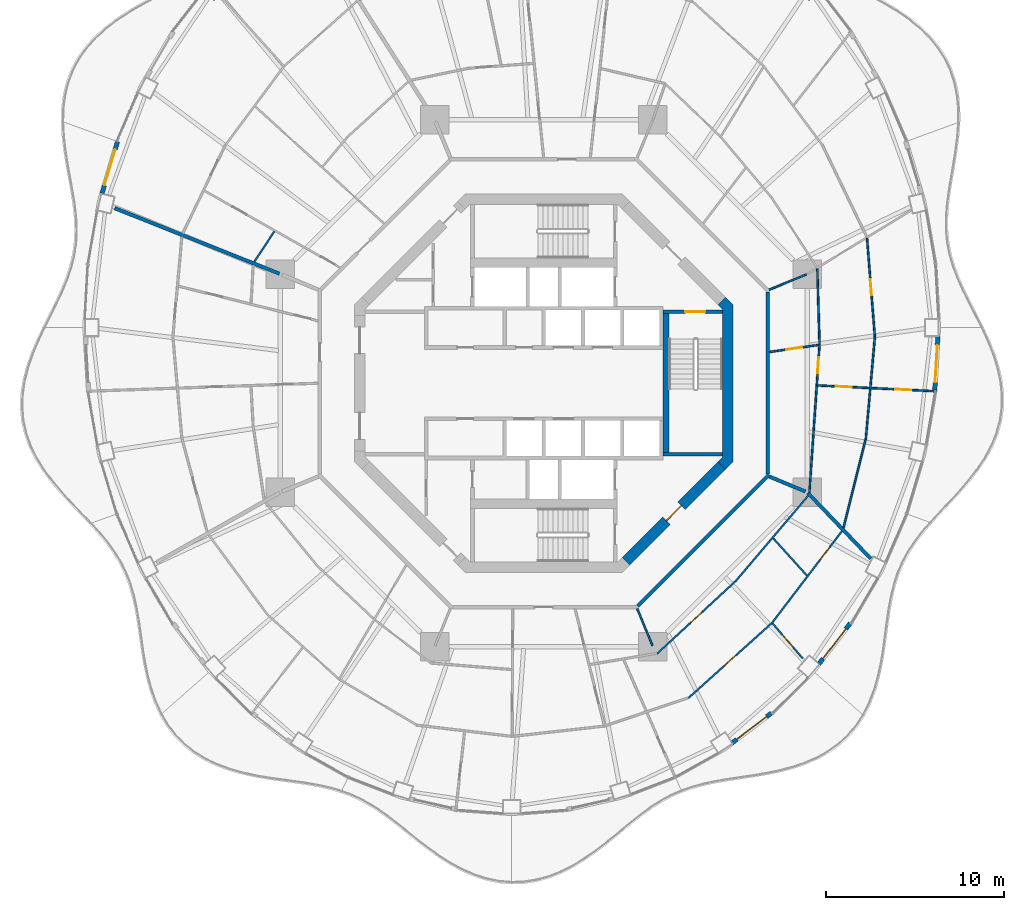
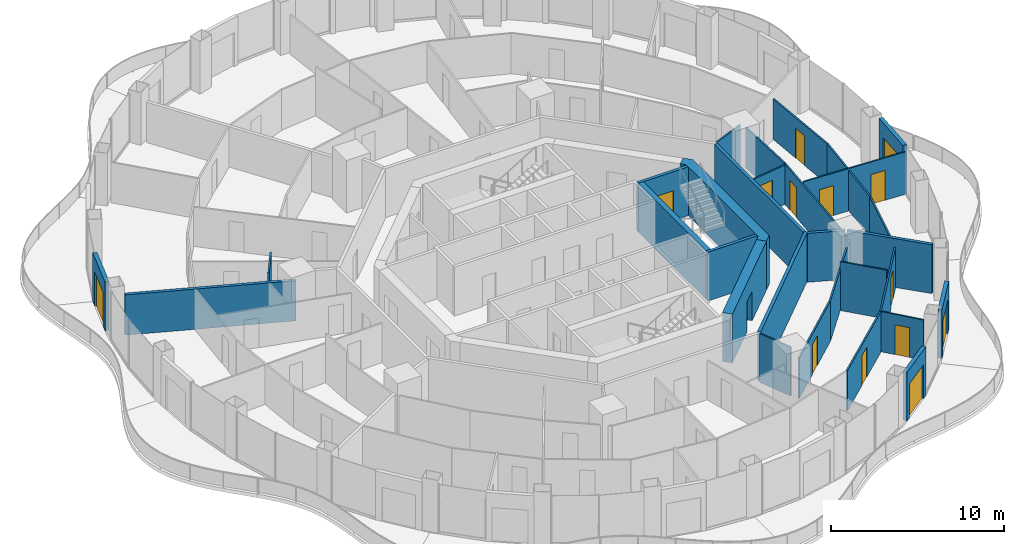
# One storey, part 12 of 18: 30 walls, 15 doors, 15 openings.
"""IFC4 building model written with IfcOpenShell, lengths in metres."""

from ifc_helpers import new_model, si_unit, direction, frame, frame_2d, origin, place, context, subcontext, project, spatial, polyline, rectangle, outline, extrude, material, layer, layer_set, type_object, element, fill, save


model = new_model("IFC4")

# Units and contexts
model_context = context("Model", 3, precision=1e-05, world=origin(), true_north=direction((0.0, 1.0)))
body_context = subcontext(model_context, "Body", "Model", "MODEL_VIEW")
ifc_project = project(units=[si_unit("LENGTHUNIT", "METRE"), si_unit("AREAUNIT", "SQUARE_METRE"), si_unit("VOLUMEUNIT", "CUBIC_METRE"), si_unit("PLANEANGLEUNIT", "RADIAN"), si_unit("MASSUNIT", "GRAM", prefix="KILO")], contexts=[model_context])

# Site, building, storey
site_placement = place(None, origin())
site = spatial("IfcSite", under=ifc_project, at=site_placement, CompositionType="ELEMENT")
building_placement = place(site_placement, origin())
building = spatial("IfcBuilding", under=site, at=building_placement, Name="Nagisa Residences", CompositionType="ELEMENT")
storey_placement = place(building_placement, frame((0.0, 0.0, 223.300048828125)))
storey = spatial("IfcBuildingStorey", under=building, at=storey_placement, Name="L56", CompositionType="ELEMENT", Elevation=223.300048828125)

# Walls
ifc_material_1 = material(Name="Gypsum board on steel studs", Category="steel")
ifc_layer_1 = layer(ifc_material_1, 0.199951171875)
ifc_layer_set_1 = layer_set([ifc_layer_1], Name="Apartment compartment wall EI60 200")
wall_type_1 = type_object("IfcWallType", Name="Apartment compartment wall EI60 200", PredefinedType="PARTITIONING", material=ifc_layer_set_1)
wall_1_placement = place(storey_placement, frame((-14.82861328125, 6.141357421875, 0.0), z_axis=(0.0, 0.0, 1.0), x_axis=(-0.929202069098, 0.36957206981, 0.0)))
element("IfcWall", 1, at=wall_1_placement, inside=storey, type_object=wall_type_1, Name="wall:L56:u03", PredefinedType="PARTITIONING", context=body_context, shape_type="SweptSolid", body=[
    extrude(rectangle(XDim=9.95654296875, YDim=0.199951171875, at=frame_2d((4.978271484375, 0.0))), origin(), (0.0, 0.0, 1.0), 2.8369140625),
])
wall_2_placement = place(storey_placement, frame((12.6572265625, -5.24267578125, 0.0), z_axis=(0.0, 0.0, 1.0), x_axis=(0.923853160736, -0.382747093259, 0.0)))
element("IfcWall", 2, at=wall_2_placement, inside=storey, type_object=wall_type_1, Name="wall:L56:u06", PredefinedType="PARTITIONING", context=body_context, shape_type="SweptSolid", body=[
    extrude(rectangle(XDim=2.199951171875, YDim=0.199951171875, at=frame_2d((1.10009765625, 0.0))), origin(), (0.0, 0.0, 1.0), 3.43994140625),
])
wall_3_placement = place(storey_placement, frame((14.816650390625, -6.1591796875, 0.0), z_axis=(0.0, 0.0, 1.0), x_axis=(0.691437669875, -0.722436120828, 0.0)))
element("IfcWall", 3, at=wall_3_placement, inside=storey, type_object=wall_type_1, Name="wall:L56:u07", PredefinedType="PARTITIONING", context=body_context, shape_type="SweptSolid", body=[
    extrude(rectangle(XDim=5.103515625, YDim=0.199951171875, at=frame_2d((2.5517578125, 0.0))), origin(), (0.0, 0.0, 1.0), 3.43994140625),
])
ifc_material_2 = material(Name="Gypsum board on steel studs", Category="steel")
ifc_layer_2 = layer(ifc_material_2, 0.199951171875)
ifc_layer_set_2 = layer_set([ifc_layer_2], Name="Apartment entry wall EI60 200")
wall_type_2 = type_object("IfcWallType", Name="Apartment entry wall EI60 200", PredefinedType="PARTITIONING", material=ifc_layer_set_2)
wall_4_placement = place(storey_placement, frame((12.564697265625, -5.1044921875, 0.0), z_axis=(0.0, 0.0, 1.0), x_axis=(0.0, 1.0, 0.0)))
element("IfcWall", 4, at=wall_4_placement, inside=storey, type_object=wall_type_2, Name="wall:L56:u08", PredefinedType="PARTITIONING", context=body_context, shape_type="SweptSolid", body=[
    extrude(rectangle(XDim=10.208984375, YDim=0.199951171875, at=frame_2d((5.1044921875, 0.0))), origin(), (0.0, 0.0, 1.0), 3.43994140625),
])
wall_5_placement = place(storey_placement, frame((5.275146484375, -12.494140625, 0.0), z_axis=(0.0, 0.0, 1.0), x_axis=(0.707106781187, 0.707106781187, 0.0)))
element("IfcWall", 5, at=wall_5_placement, inside=storey, type_object=wall_type_2, Name="wall:L56:u15", PredefinedType="PARTITIONING", context=body_context, shape_type="SweptSolid", body=[
    extrude(rectangle(XDim=10.4091796875, YDim=0.199951171875, at=frame_2d((5.20458984375, 0.0))), origin(), (0.0, 0.0, 1.0), 3.43994140625),
])

# Wall, opening, door
ifc_material_3 = material(Name="Gypsum board on steel studs", Category="steel")
ifc_layer_3 = layer(ifc_material_3, 0.10009765625)
ifc_layer_set_3 = layer_set([ifc_layer_3], Name="Apartment partition 100")
wall_type_3 = type_object("IfcWallType", Name="Apartment partition 100", PredefinedType="PARTITIONING", material=ifc_layer_set_3)
wall_6_placement = place(storey_placement, frame((12.663818359375, 1.7490234375, 0.0), z_axis=(0.0, 0.0, 1.0), x_axis=(0.990007147727, 0.14101718849, 0.0)))
wall_6 = element("IfcWall", 6, at=wall_6_placement, inside=storey, type_object=wall_type_3, Name="wall:L56:u16", PredefinedType="PARTITIONING", context=body_context, shape_type="SweptSolid", body=[
    extrude(rectangle(XDim=2.790771484375, YDim=0.10009765625, at=frame_2d((1.3955078125, 0.0))), origin(), (0.0, 0.0, 1.0), 2.761962890625),
])
opening_1_placement = place(wall_6_placement, frame((0.945556640625, 0.0, 0.0)))
opening_1 = element("IfcOpeningElement", 7, at=opening_1_placement, cuts=wall_6, Name="Opening L56-U47", PredefinedType="OPENING", context=body_context, shape_type="SweptSolid", body=[
    extrude(rectangle(XDim=0.89990234375, YDim=2.10009765625, at=frame_2d((0.449951171875, 1.050048828125))), frame((0.0, 0.06005859375, 0.0), z_axis=(0.0, -1.0, 0.0), x_axis=(1.0, 0.0, 0.0)), (0.0, 0.0, 1.0), 0.1201171875),
])
ifc_material_4 = material(Name="Timber door set", Category="wood")
door_type_1 = type_object("IfcDoorType", Name="Apartment door 900x2100", OperationType="NOTDEFINED", PredefinedType="DOOR", material=ifc_material_4)
door_1_placement = place(opening_1_placement, origin())
door_1 = element("IfcDoor", 8, at=door_1_placement, inside=storey, type_object=door_type_1, Name="Door to store, Apartment 56D", OperationType="SINGLE_SWING_LEFT", OverallHeight=2.10009765625, OverallWidth=0.89990234375, PredefinedType="DOOR", context=body_context, shape_type="SweptSolid", body=[
    extrude(rectangle(XDim=0.89990234375, YDim=2.10009765625, at=frame_2d((0.449951171875, 1.050048828125))), frame((0.0, 0.02490234375, 0.0), z_axis=(0.0, -1.0, 0.0), x_axis=(1.0, 0.0, 0.0)), (0.0, 0.0, 1.0), 0.050048828125),
])
fill(opening_1, door_1)

# Wall
wall_7_placement = place(storey_placement, frame((15.474853515625, 2.19970703125, 0.0), z_axis=(0.0, 0.0, 1.0), x_axis=(-0.029254637498, 0.999571991497, 0.0)))
element("IfcWall", 9, at=wall_7_placement, inside=storey, type_object=wall_type_3, Name="wall:L56:u17", PredefinedType="PARTITIONING", context=body_context, shape_type="SweptSolid", body=[
    extrude(rectangle(XDim=4.22265625, YDim=0.10009765625, at=frame_2d((2.111328125, 0.0))), origin(), (0.0, 0.0, 1.0), 2.8369140625),
])

# Wall, opening, door
wall_8_placement = place(storey_placement, frame((15.479736328125, 2.199462890625, 0.0), z_axis=(0.0, 0.0, 1.0), x_axis=(-0.068558685949, -0.997647085186, 0.0)))
wall_8 = element("IfcWall", 10, at=wall_8_placement, inside=storey, type_object=wall_type_3, Name="wall:L56:u18", PredefinedType="PARTITIONING", context=body_context, shape_type="SweptSolid", body=[
    extrude(rectangle(XDim=8.364990234375, YDim=0.10009765625, at=frame_2d((4.1826171875, 0.0))), origin(), (0.0, 0.0, 1.0), 2.8369140625),
])
opening_2_placement = place(wall_8_placement, frame((0.740478515625, 0.0, 0.0)))
opening_2 = element("IfcOpeningElement", 11, at=opening_2_placement, cuts=wall_8, Name="Opening L56-U46", PredefinedType="OPENING", context=body_context, shape_type="SweptSolid", body=[
    extrude(rectangle(XDim=0.89990234375, YDim=2.10009765625, at=frame_2d((0.449951171875, 1.050048828125))), frame((0.0, 0.06005859375, 0.0), z_axis=(0.0, -1.0, 0.0), x_axis=(1.0, 0.0, 0.0)), (0.0, 0.0, 1.0), 0.1201171875),
])
door_2_placement = place(opening_2_placement, frame((0.89990234375, 0.0, 0.0), x_axis=(-1.0, 0.0, 0.0)))
door_2 = element("IfcDoor", 12, at=door_2_placement, inside=storey, type_object=door_type_1, Name="Door to laundry, Apartment 56D", OperationType="SINGLE_SWING_LEFT", OverallHeight=2.10009765625, OverallWidth=0.89990234375, PredefinedType="DOOR", context=body_context, shape_type="SweptSolid", body=[
    extrude(rectangle(XDim=0.89990234375, YDim=2.10009765625, at=frame_2d((0.449951171875, 1.050048828125))), frame((0.0, 0.02490234375, 0.0), z_axis=(0.0, -1.0, 0.0), x_axis=(1.0, 0.0, 0.0)), (0.0, 0.0, 1.0), 0.050048828125),
])
fill(opening_2, door_2)

wall_9_placement = place(storey_placement, frame((18.578125, 2.64208984375, 0.0), z_axis=(0.0, 0.0, 1.0), x_axis=(-0.079179272956, 0.9968603928, 0.0)))
wall_9 = element("IfcWall", 13, at=wall_9_placement, inside=storey, type_object=wall_type_3, Name="wall:L56:u19", PredefinedType="PARTITIONING", context=body_context, shape_type="SweptSolid", body=[
    extrude(rectangle(XDim=5.50390625, YDim=0.10009765625, at=frame_2d((2.751953125, 0.0))), origin(), (0.0, 0.0, 1.0), 2.8369140625),
])
opening_3_placement = place(wall_9_placement, frame((2.302001953125, 0.0, 0.0)))
opening_3 = element("IfcOpeningElement", 14, at=opening_3_placement, cuts=wall_9, Name="Opening L56-U45", PredefinedType="OPENING", context=body_context, shape_type="SweptSolid", body=[
    extrude(rectangle(XDim=0.89990234375, YDim=2.10009765625, at=frame_2d((0.449951171875, 1.050048828125))), frame((0.0, 0.06005859375, 0.0), z_axis=(0.0, -1.0, 0.0), x_axis=(1.0, 0.0, 0.0)), (0.0, 0.0, 1.0), 0.1201171875),
])
door_3_placement = place(opening_3_placement, frame((0.89990234375, 0.0, 0.0), x_axis=(-1.0, 0.0, 0.0)))
door_3 = element("IfcDoor", 15, at=door_3_placement, inside=storey, type_object=door_type_1, Name="Door to family room, Apartment 56D", OperationType="SINGLE_SWING_RIGHT", OverallHeight=2.10009765625, OverallWidth=0.89990234375, PredefinedType="DOOR", context=body_context, shape_type="SweptSolid", body=[
    extrude(rectangle(XDim=0.89990234375, YDim=2.10009765625, at=frame_2d((0.449951171875, 1.050048828125))), frame((0.0, 0.02490234375, 0.0), z_axis=(0.0, -1.0, 0.0), x_axis=(1.0, 0.0, 0.0)), (0.0, 0.0, 1.0), 0.050048828125),
])
fill(opening_3, door_3)

# Walls
wall_10_placement = place(storey_placement, frame((18.58642578125, 2.64208984375, 0.0), z_axis=(0.0, 0.0, 1.0), x_axis=(-0.088638473361, -0.996063863937, 0.0)))
element("IfcWall", 16, at=wall_10_placement, inside=storey, type_object=wall_type_3, Name="wall:L56:u20", PredefinedType="PARTITIONING", context=body_context, shape_type="SweptSolid", body=[
    extrude(rectangle(XDim=5.83642578125, YDim=0.10009765625, at=frame_2d((2.918212890625, 0.0))), origin(), (0.0, 0.0, 1.0), 2.8369140625),
])
wall_11_placement = place(storey_placement, frame((12.6572265625, 5.24267578125, 0.0), z_axis=(0.0, 0.0, 1.0), x_axis=(0.923864733477, 0.382719158442, 0.0)))
element("IfcWall", 17, at=wall_11_placement, inside=storey, type_object=wall_type_3, Name="wall:L56:u21", PredefinedType="PARTITIONING", context=body_context, shape_type="SweptSolid", body=[
    extrude(rectangle(XDim=2.25, YDim=0.10009765625, at=frame_2d((1.125, 0.0))), origin(), (0.0, 0.0, 1.0), 3.43994140625),
])
wall_12_placement = place(storey_placement, frame((-15.114013671875, 8.524169921875, 0.0), z_axis=(0.0, 0.0, 1.0), x_axis=(-0.551211457161, -0.834365585037, 0.0)))
element("IfcWall", 18, at=wall_12_placement, inside=storey, type_object=wall_type_3, Name="wall:L56:u53", PredefinedType="PARTITIONING", context=body_context, shape_type="SweptSolid", body=[
    extrude(rectangle(XDim=2.0537109375, YDim=0.10009765625, at=frame_2d((1.02685546875, 0.0))), origin(), (0.0, 0.0, 1.0), 3.43994140625),
])
wall_13_placement = place(storey_placement, frame((5.24267578125, -12.6572265625, 0.0), z_axis=(0.0, 0.0, 1.0), x_axis=(0.382719158442, -0.923864733477, 0.0)))
element("IfcWall", 19, at=wall_13_placement, inside=storey, type_object=wall_type_3, Name="wall:L56:u80", PredefinedType="PARTITIONING", context=body_context, shape_type="SweptSolid", body=[
    extrude(rectangle(XDim=2.25, YDim=0.10009765625, at=frame_2d((1.125, 0.0))), origin(), (0.0, 0.0, 1.0), 3.43994140625),
])

# Wall, opening, door
wall_14_placement = place(storey_placement, frame((6.3505859375, -15.18994140625, 0.0), z_axis=(0.0, 0.0, 1.0), x_axis=(0.73462674599, 0.678471476243, 0.0)))
wall_14 = element("IfcWall", 20, at=wall_14_placement, inside=storey, type_object=wall_type_3, Name="wall:L56:u81", PredefinedType="PARTITIONING", context=body_context, shape_type="SweptSolid", body=[
    extrude(rectangle(XDim=5.986572265625, YDim=0.10009765625, at=frame_2d((2.9931640625, 0.0))), origin(), (0.0, 0.0, 1.0), 2.8369140625),
])
opening_4_placement = place(wall_14_placement, frame((2.568359375, 0.0, 0.0)))
opening_4 = element("IfcOpeningElement", 21, at=opening_4_placement, cuts=wall_14, Name="Opening L56-U30", PredefinedType="OPENING", context=body_context, shape_type="SweptSolid", body=[
    extrude(rectangle(XDim=0.89990234375, YDim=2.10009765625, at=frame_2d((0.449951171875, 1.050048828125))), frame((0.0, 0.06005859375, 0.0), z_axis=(0.0, -1.0, 0.0), x_axis=(1.0, 0.0, 0.0)), (0.0, 0.0, 1.0), 0.1201171875),
])
door_4_placement = place(opening_4_placement, origin())
door_4 = element("IfcDoor", 22, at=door_4_placement, inside=storey, type_object=door_type_1, Name="Door to store, Apartment 56C", OperationType="SINGLE_SWING_RIGHT", OverallHeight=2.10009765625, OverallWidth=0.89990234375, PredefinedType="DOOR", context=body_context, shape_type="SweptSolid", body=[
    extrude(rectangle(XDim=0.89990234375, YDim=2.10009765625, at=frame_2d((0.449951171875, 1.050048828125))), frame((0.0, 0.02490234375, 0.0), z_axis=(0.0, -1.0, 0.0), x_axis=(1.0, 0.0, 0.0)), (0.0, 0.0, 1.0), 0.050048828125),
])
fill(opening_4, door_4)

wall_15_placement = place(storey_placement, frame((8.109130859375, -17.679443359375, 0.0), z_axis=(0.0, 0.0, 1.0), x_axis=(0.743675165651, 0.668541134108, 0.0)))
wall_15 = element("IfcWall", 23, at=wall_15_placement, inside=storey, type_object=wall_type_3, Name="wall:L56:u82", PredefinedType="PARTITIONING", context=body_context, shape_type="SweptSolid", body=[
    extrude(rectangle(XDim=6.274658203125, YDim=0.10009765625, at=frame_2d((3.13720703125, 0.0))), origin(), (0.0, 0.0, 1.0), 2.8369140625),
])
opening_5_placement = place(wall_15_placement, frame((2.71240234375, 0.0, 0.0)))
opening_5 = element("IfcOpeningElement", 24, at=opening_5_placement, cuts=wall_15, Name="Opening L56-U26", PredefinedType="OPENING", context=body_context, shape_type="SweptSolid", body=[
    extrude(rectangle(XDim=0.89990234375, YDim=2.10009765625, at=frame_2d((0.449951171875, 1.050048828125))), frame((0.0, 0.06005859375, 0.0), z_axis=(0.0, -1.0, 0.0), x_axis=(1.0, 0.0, 0.0)), (0.0, 0.0, 1.0), 0.1201171875),
])
door_5_placement = place(opening_5_placement, origin())
door_5 = element("IfcDoor", 25, at=door_5_placement, inside=storey, type_object=door_type_1, Name="Door to study, Apartment 56C", OperationType="SINGLE_SWING_RIGHT", OverallHeight=2.10009765625, OverallWidth=0.89990234375, PredefinedType="DOOR", context=body_context, shape_type="SweptSolid", body=[
    extrude(rectangle(XDim=0.89990234375, YDim=2.10009765625, at=frame_2d((0.449951171875, 1.050048828125))), frame((0.0, 0.02490234375, 0.0), z_axis=(0.0, -1.0, 0.0), x_axis=(1.0, 0.0, 0.0)), (0.0, 0.0, 1.0), 0.050048828125),
])
fill(opening_5, door_5)

# Wall
wall_16_placement = place(storey_placement, frame((10.7529296875, -11.13232421875, 0.0), z_axis=(0.0, 0.0, 1.0), x_axis=(0.646987675252, 0.762500457752, 0.0)))
element("IfcWall", 26, at=wall_16_placement, inside=storey, type_object=wall_type_3, Name="wall:L56:u83", PredefinedType="PARTITIONING", context=body_context, shape_type="SweptSolid", body=[
    extrude(rectangle(XDim=6.308837890625, YDim=0.10009765625, at=frame_2d((3.154296875, 0.0))), origin(), (0.0, 0.0, 1.0), 2.8369140625),
])

# Wall, opening, door
wall_17_placement = place(storey_placement, frame((12.84521484375, -13.489013671875, 0.0), z_axis=(0.0, 0.0, 1.0), x_axis=(0.652092276587, -0.758139606416, 0.0)))
wall_17 = element("IfcWall", 27, at=wall_17_placement, inside=storey, type_object=wall_type_3, Name="wall:L56:u84", PredefinedType="PARTITIONING", context=body_context, shape_type="SweptSolid", body=[
    extrude(rectangle(XDim=2.594482421875, YDim=0.10009765625, at=frame_2d((1.29736328125, 0.0))), origin(), (0.0, 0.0, 1.0), 2.8369140625),
])
opening_6_placement = place(wall_17_placement, frame((0.84716796875, 0.0, 0.0)))
opening_6 = element("IfcOpeningElement", 28, at=opening_6_placement, cuts=wall_17, Name="Opening L56-U23", PredefinedType="OPENING", context=body_context, shape_type="SweptSolid", body=[
    extrude(rectangle(XDim=0.89990234375, YDim=2.10009765625, at=frame_2d((0.449951171875, 1.050048828125))), frame((0.0, 0.06005859375, 0.0), z_axis=(0.0, -1.0, 0.0), x_axis=(1.0, 0.0, 0.0)), (0.0, 0.0, 1.0), 0.1201171875),
])
door_6_placement = place(opening_6_placement, origin())
door_6 = element("IfcDoor", 29, at=door_6_placement, inside=storey, type_object=door_type_1, Name="Door to master bedroom, Apartment 56C", OperationType="SINGLE_SWING_LEFT", OverallHeight=2.10009765625, OverallWidth=0.89990234375, PredefinedType="DOOR", context=body_context, shape_type="SweptSolid", body=[
    extrude(rectangle(XDim=0.89990234375, YDim=2.10009765625, at=frame_2d((0.449951171875, 1.050048828125))), frame((0.0, 0.02490234375, 0.0), z_axis=(0.0, -1.0, 0.0), x_axis=(1.0, 0.0, 0.0)), (0.0, 0.0, 1.0), 0.050048828125),
])
fill(opening_6, door_6)

wall_18_placement = place(storey_placement, frame((12.7822265625, -13.490966796875, 0.0), z_axis=(0.0, 0.0, 1.0), x_axis=(0.606141365852, 0.79535692906, 0.0)))
wall_18 = element("IfcWall", 30, at=wall_18_placement, inside=storey, type_object=wall_type_3, Name="wall:L56:u85", PredefinedType="PARTITIONING", context=body_context, shape_type="SweptSolid", body=[
    extrude(rectangle(XDim=6.519775390625, YDim=0.10009765625, at=frame_2d((3.259765625, 0.0))), origin(), (0.0, 0.0, 1.0), 2.8369140625),
])
opening_7_placement = place(wall_18_placement, frame((4.477294921875, 0.0, 0.0)))
opening_7 = element("IfcOpeningElement", 31, at=opening_7_placement, cuts=wall_18, Name="Opening L56-U27", PredefinedType="OPENING", context=body_context, shape_type="SweptSolid", body=[
    extrude(rectangle(XDim=0.89990234375, YDim=2.10009765625, at=frame_2d((0.449951171875, 1.050048828125))), frame((0.0, 0.06005859375, 0.0), z_axis=(0.0, -1.0, 0.0), x_axis=(1.0, 0.0, 0.0)), (0.0, 0.0, 1.0), 0.1201171875),
])
door_7_placement = place(opening_7_placement, origin())
door_7 = element("IfcDoor", 32, at=door_7_placement, inside=storey, type_object=door_type_1, Name="Door to en-suite bathroom, Apartment 56C", OperationType="SINGLE_SWING_LEFT", OverallHeight=2.10009765625, OverallWidth=0.89990234375, PredefinedType="DOOR", context=body_context, shape_type="SweptSolid", body=[
    extrude(rectangle(XDim=0.89990234375, YDim=2.10009765625, at=frame_2d((0.449951171875, 1.050048828125))), frame((0.0, 0.02490234375, 0.0), z_axis=(0.0, -1.0, 0.0), x_axis=(1.0, 0.0, 0.0)), (0.0, 0.0, 1.0), 0.050048828125),
])
fill(opening_7, door_7)

# Walls
wall_19_placement = place(storey_placement, frame((12.8759765625, -8.70703125, 0.0), z_axis=(0.0, 0.0, 1.0), x_axis=(0.670768418052, -0.741666858733, 0.0)))
element("IfcWall", 33, at=wall_19_placement, inside=storey, type_object=wall_type_3, Name="wall:L56:u86", PredefinedType="PARTITIONING", context=body_context, shape_type="SweptSolid", body=[
    extrude(rectangle(XDim=2.82373046875, YDim=0.10009765625, at=frame_2d((1.411865234375, 0.0))), origin(), (0.0, 0.0, 1.0), 3.43994140625),
])
wall_20_placement = place(storey_placement, frame((16.81884765625, -8.128662109375, 0.0), z_axis=(0.0, 0.0, 1.0), x_axis=(0.243041266705, 0.970015949703, 0.0)))
element("IfcWall", 34, at=wall_20_placement, inside=storey, type_object=wall_type_3, Name="wall:L56:u87", PredefinedType="PARTITIONING", context=body_context, shape_type="SweptSolid", body=[
    extrude(rectangle(XDim=5.112060546875, YDim=0.10009765625, at=frame_2d((2.55615234375, 0.0))), origin(), (0.0, 0.0, 1.0), 2.8369140625),
])

# Wall, openings, doors
wall_21_placement = place(storey_placement, frame((15.353271484375, -0.1279296875, 0.0), z_axis=(0.0, 0.0, 1.0), x_axis=(0.99879606888, -0.049055201451, 0.0)))
wall_21 = element("IfcWall", 35, at=wall_21_placement, inside=storey, type_object=wall_type_3, Name="wall:L56:u88", PredefinedType="PARTITIONING", context=body_context, shape_type="SweptSolid", body=[
    extrude(rectangle(XDim=6.678955078125, YDim=0.10009765625, at=frame_2d((3.33935546875, 0.0))), origin(), (0.0, 0.0, 1.0), 2.98291015625),
])
opening_8_placement = place(wall_21_placement, frame((1.038818359375, 0.0, 0.0)))
opening_8 = element("IfcOpeningElement", 36, at=opening_8_placement, cuts=wall_21, Name="Opening L56-U48", PredefinedType="OPENING", context=body_context, shape_type="SweptSolid", body=[
    extrude(rectangle(XDim=0.89990234375, YDim=2.10009765625, at=frame_2d((0.449951171875, 1.050048828125))), frame((0.0, 0.06005859375, 0.0), z_axis=(0.0, -1.0, 0.0), x_axis=(1.0, 0.0, 0.0)), (0.0, 0.0, 1.0), 0.1201171875),
])
opening_9_placement = place(wall_21_placement, frame((4.378173828125, 0.0, 0.0)))
opening_9 = element("IfcOpeningElement", 37, at=opening_9_placement, cuts=wall_21, Name="Opening L56-U49", PredefinedType="OPENING", context=body_context, shape_type="SweptSolid", body=[
    extrude(rectangle(XDim=0.89990234375, YDim=2.10009765625, at=frame_2d((0.449951171875, 1.050048828125))), frame((0.0, 0.06005859375, 0.0), z_axis=(0.0, -1.0, 0.0), x_axis=(1.0, 0.0, 0.0)), (0.0, 0.0, 1.0), 0.1201171875),
])
door_8_placement = place(opening_8_placement, frame((0.89990234375, 0.0, 0.0), x_axis=(-1.0, 0.0, 0.0)))
door_8 = element("IfcDoor", 38, at=door_8_placement, inside=storey, type_object=door_type_1, Name="Door to kitchen, Apartment 56D", OperationType="SINGLE_SWING_LEFT", OverallHeight=2.10009765625, OverallWidth=0.89990234375, PredefinedType="DOOR", context=body_context, shape_type="SweptSolid", body=[
    extrude(rectangle(XDim=0.89990234375, YDim=2.10009765625, at=frame_2d((0.449951171875, 1.050048828125))), frame((0.0, 0.02490234375, 0.0), z_axis=(0.0, -1.0, 0.0), x_axis=(1.0, 0.0, 0.0)), (0.0, 0.0, 1.0), 0.050048828125),
])
fill(opening_8, door_8)
door_9_placement = place(opening_9_placement, frame((0.89990234375, 0.0, 0.0), x_axis=(-1.0, 0.0, 0.0)))
door_9 = element("IfcDoor", 39, at=door_9_placement, inside=storey, type_object=door_type_1, Name="Door to bedroom, Apartment 56D", OperationType="SINGLE_SWING_RIGHT", OverallHeight=2.10009765625, OverallWidth=0.89990234375, PredefinedType="DOOR", context=body_context, shape_type="SweptSolid", body=[
    extrude(rectangle(XDim=0.89990234375, YDim=2.10009765625, at=frame_2d((0.449951171875, 1.050048828125))), frame((0.0, 0.02490234375, 0.0), z_axis=(0.0, -1.0, 0.0), x_axis=(1.0, 0.0, 0.0)), (0.0, 0.0, 1.0), 0.050048828125),
])
fill(opening_9, door_9)

# Wall, opening, door
ifc_material_5 = material(Name="Precast concrete C40/50", Category="concrete")
ifc_layer_4 = layer(ifc_material_5, 0.25)
ifc_layer_set_4 = layer_set([ifc_layer_4], Name="BALCONY DOOR WALL 250")
wall_type_4 = type_object("IfcWallType", Name="BALCONY DOOR WALL 250", PredefinedType="SOLIDWALL", material=ifc_layer_set_4)
wall_22_placement = place(storey_placement, frame((-24.787109375, 10.650146484375, 0.0), z_axis=(0.0, 0.0, 1.0), x_axis=(0.285859454825, 0.95827155446, 0.0)))
wall_22 = element("IfcWall", 40, at=wall_22_placement, inside=storey, type_object=wall_type_4, Name="wall:L56:bay21", PredefinedType="SOLIDWALL", context=body_context, shape_type="SweptSolid", body=[
    extrude(rectangle(XDim=3.04052734375, YDim=0.25, at=frame_2d((1.520263671875, 0.0))), origin(), (0.0, 0.0, 1.0), 3.43994140625),
])
opening_10_placement = place(wall_22_placement, frame((0.47021484375, 0.0, 0.0)))
opening_10 = element("IfcOpeningElement", 41, at=opening_10_placement, cuts=wall_22, Name="Opening BD-L56-08", PredefinedType="OPENING", context=body_context, shape_type="SweptSolid", body=[
    extrude(rectangle(XDim=2.10009765625, YDim=2.39990234375, at=frame_2d((1.050048828125, 1.199951171875))), frame((0.0, 0.135009765625, 0.0), z_axis=(0.0, -1.0, 0.0), x_axis=(1.0, 0.0, 0.0)), (0.0, 0.0, 1.0), 0.27001953125),
])
ifc_material_6 = material(Name="Aluminium and clear glass", Category="aluminium")
door_type_2 = type_object("IfcDoorType", Name="BALCONY SLIDING DOOR 2100x2400", OperationType="SLIDING_TO_LEFT", PredefinedType="DOOR", material=ifc_material_6)
door_10_placement = place(opening_10_placement, origin())
door_10 = element("IfcDoor", 42, at=door_10_placement, inside=storey, type_object=door_type_2, Name="door:L56:bay21", OperationType="SLIDING_TO_LEFT", OverallHeight=2.39990234375, OverallWidth=2.10009765625, PredefinedType="DOOR", context=body_context, shape_type="SweptSolid", body=[
    extrude(rectangle(XDim=2.10009765625, YDim=2.39990234375, at=frame_2d((1.050048828125, 1.199951171875))), frame((0.0, 0.02490234375, 0.0), z_axis=(0.0, -1.0, 0.0), x_axis=(1.0, 0.0, 0.0)), (0.0, 0.0, 1.0), 0.050048828125),
])
fill(opening_10, door_10)

wall_23_placement = place(storey_placement, frame((12.77734375, -18.5126953125, 0.0), z_axis=(0.0, 0.0, 1.0), x_axis=(-0.796022158395, -0.605267480825, 0.0)))
wall_23 = element("IfcWall", 43, at=wall_23_placement, inside=storey, type_object=wall_type_4, Name="wall:L56:bay40", PredefinedType="SOLIDWALL", context=body_context, shape_type="SweptSolid", body=[
    extrude(rectangle(XDim=2.788818359375, YDim=0.25, at=frame_2d((1.39453125, 0.0))), origin(), (0.0, 0.0, 1.0), 3.43994140625),
])
opening_11_placement = place(wall_23_placement, frame((0.34423828125, 0.0, 0.0)))
opening_11 = element("IfcOpeningElement", 44, at=opening_11_placement, cuts=wall_23, Name="Opening BD-L56-14", PredefinedType="OPENING", context=body_context, shape_type="SweptSolid", body=[
    extrude(rectangle(XDim=2.10009765625, YDim=2.39990234375, at=frame_2d((1.050048828125, 1.199951171875))), frame((0.0, 0.135009765625, 0.0), z_axis=(0.0, -1.0, 0.0), x_axis=(1.0, 0.0, 0.0)), (0.0, 0.0, 1.0), 0.27001953125),
])
door_11_placement = place(opening_11_placement, origin())
door_11 = element("IfcDoor", 45, at=door_11_placement, inside=storey, type_object=door_type_2, Name="door:L56:bay40", OperationType="SLIDING_TO_LEFT", OverallHeight=2.39990234375, OverallWidth=2.10009765625, PredefinedType="DOOR", context=body_context, shape_type="SweptSolid", body=[
    extrude(rectangle(XDim=2.10009765625, YDim=2.39990234375, at=frame_2d((1.050048828125, 1.199951171875))), frame((0.0, 0.02490234375, 0.0), z_axis=(0.0, -1.0, 0.0), x_axis=(1.0, 0.0, 0.0)), (0.0, 0.0, 1.0), 0.050048828125),
])
fill(opening_11, door_11)

wall_24_placement = place(storey_placement, frame((17.197021484375, -13.47998046875, 0.0), z_axis=(0.0, 0.0, 1.0), x_axis=(-0.610438565676, -0.792063607001, 0.0)))
wall_24 = element("IfcWall", 46, at=wall_24_placement, inside=storey, type_object=wall_type_4, Name="wall:L56:bay42", PredefinedType="SOLIDWALL", context=body_context, shape_type="SweptSolid", body=[
    extrude(rectangle(XDim=2.90087890625, YDim=0.25, at=frame_2d((1.450439453125, 0.0))), origin(), (0.0, 0.0, 1.0), 3.43994140625),
])
opening_12_placement = place(wall_24_placement, frame((0.400390625, 0.0, 0.0)))
opening_12 = element("IfcOpeningElement", 47, at=opening_12_placement, cuts=wall_24, Name="Opening BD-L56-15", PredefinedType="OPENING", context=body_context, shape_type="SweptSolid", body=[
    extrude(rectangle(XDim=2.10009765625, YDim=2.39990234375, at=frame_2d((1.050048828125, 1.199951171875))), frame((0.0, 0.135009765625, 0.0), z_axis=(0.0, -1.0, 0.0), x_axis=(1.0, 0.0, 0.0)), (0.0, 0.0, 1.0), 0.27001953125),
])
door_12_placement = place(opening_12_placement, origin())
door_12 = element("IfcDoor", 48, at=door_12_placement, inside=storey, type_object=door_type_2, Name="door:L56:bay42", OperationType="SLIDING_TO_LEFT", OverallHeight=2.39990234375, OverallWidth=2.10009765625, PredefinedType="DOOR", context=body_context, shape_type="SweptSolid", body=[
    extrude(rectangle(XDim=2.10009765625, YDim=2.39990234375, at=frame_2d((1.050048828125, 1.199951171875))), frame((0.0, 0.02490234375, 0.0), z_axis=(0.0, -1.0, 0.0), x_axis=(1.0, 0.0, 0.0)), (0.0, 0.0, 1.0), 0.050048828125),
])
fill(opening_12, door_12)

wall_25_placement = place(storey_placement, frame((22.116455078125, 2.625732421875, 0.0), z_axis=(0.0, 0.0, 1.0), x_axis=(-0.057528189427, -0.998343882348, 0.0)))
wall_25 = element("IfcWall", 49, at=wall_25_placement, inside=storey, type_object=wall_type_4, Name="wall:L56:bay47", PredefinedType="SOLIDWALL", context=body_context, shape_type="SweptSolid", body=[
    extrude(rectangle(XDim=3.0810546875, YDim=0.25, at=frame_2d((1.54052734375, 0.0))), origin(), (0.0, 0.0, 1.0), 3.43994140625),
])
opening_13_placement = place(wall_25_placement, frame((0.490478515625, 0.0, 0.0)))
opening_13 = element("IfcOpeningElement", 50, at=opening_13_placement, cuts=wall_25, Name="Opening BD-L56-16", PredefinedType="OPENING", context=body_context, shape_type="SweptSolid", body=[
    extrude(rectangle(XDim=2.10009765625, YDim=2.39990234375, at=frame_2d((1.050048828125, 1.199951171875))), frame((0.0, 0.135009765625, 0.0), z_axis=(0.0, -1.0, 0.0), x_axis=(1.0, 0.0, 0.0)), (0.0, 0.0, 1.0), 0.27001953125),
])
door_13_placement = place(opening_13_placement, origin())
door_13 = element("IfcDoor", 51, at=door_13_placement, inside=storey, type_object=door_type_2, Name="door:L56:bay47", OperationType="SLIDING_TO_LEFT", OverallHeight=2.39990234375, OverallWidth=2.10009765625, PredefinedType="DOOR", context=body_context, shape_type="SweptSolid", body=[
    extrude(rectangle(XDim=2.10009765625, YDim=2.39990234375, at=frame_2d((1.050048828125, 1.199951171875))), frame((0.0, 0.02490234375, 0.0), z_axis=(0.0, -1.0, 0.0), x_axis=(1.0, 0.0, 0.0)), (0.0, 0.0, 1.0), 0.050048828125),
])
fill(opening_13, door_13)

ifc_material_7 = material(Name="Concrete C60", Category="concrete")
ifc_layer_5 = layer(ifc_material_7, 0.60009765625)
ifc_layer_set_5 = layer_set([ifc_layer_5], Name="Core shear wall 600")
wall_type_5 = type_object("IfcWallType", Name="Core shear wall 600", PredefinedType="SHEAR", material=ifc_layer_set_5)
wall_26_placement = place(storey_placement, frame((4.613037109375, -9.98828125, 0.0), z_axis=(0.0, 0.0, 1.0), x_axis=(0.707106781187, 0.707106781187, 0.0)))
wall_26 = element("IfcWall", 52, at=wall_26_placement, inside=storey, type_object=wall_type_5, Name="wall:L56:core:flat7", PredefinedType="SHEAR", context=body_context, shape_type="SweptSolid", body=[
    extrude(rectangle(XDim=7.601806640625, YDim=0.60009765625, at=frame_2d((3.80078125, 0.0))), origin(), (0.0, 0.0, 1.0), 3.43994140625),
])
opening_14_placement = place(wall_26_placement, frame((3.200927734375, 0.0, 0.0)))
opening_14 = element("IfcOpeningElement", 53, at=opening_14_placement, cuts=wall_26, Name="Opening L56-C19", PredefinedType="OPENING", context=body_context, shape_type="SweptSolid", body=[
    extrude(rectangle(XDim=1.199951171875, YDim=2.10009765625, at=frame_2d((0.60009765625, 1.050048828125))), frame((0.0, 0.31005859375, 0.0), z_axis=(0.0, -1.0, 0.0), x_axis=(1.0, 0.0, 0.0)), (0.0, 0.0, 1.0), 0.6201171875),
])
ifc_material_8 = material(Name="Steel fire door", Category="steel")
door_type_3 = type_object("IfcDoorType", Name="Fire door EI60 1200x2100 single swing", OperationType="NOTDEFINED", PredefinedType="DOOR", material=ifc_material_8)
door_14_placement = place(opening_14_placement, origin())
door_14 = element("IfcDoor", 54, at=door_14_placement, inside=storey, type_object=door_type_3, Name="Firefighting lobby 2 door L56", OperationType="SINGLE_SWING_LEFT", OverallHeight=2.10009765625, OverallWidth=1.199951171875, PredefinedType="DOOR", context=body_context, shape_type="SweptSolid", body=[
    extrude(rectangle(XDim=1.199951171875, YDim=2.10009765625, at=frame_2d((0.60009765625, 1.050048828125))), frame((0.0, 0.02490234375, 0.0), z_axis=(0.0, -1.0, 0.0), x_axis=(1.0, 0.0, 0.0)), (0.0, 0.0, 1.0), 0.050048828125),
])
fill(opening_14, door_14)

# Wall
wall_27_placement = place(storey_placement, origin())
element("IfcWall", 55, at=wall_27_placement, inside=storey, type_object=wall_type_5, Name="wall:L56:core:flat0", PredefinedType="SHEAR", context=body_context, shape_type="SweptSolid", body=[
    extrude(outline(polyline([(9.776123046875, -4.40087890625), (10.024658203125, -4.15234375), (10.024658203125, -3.801025390625), (10.024658203125, 4.15234375), (9.776123046875, 4.40087890625), (10.200439453125, 4.8251953125), (10.62451171875, 4.40087890625), (10.62451171875, -4.40087890625), (10.200439453125, -4.8251953125), (9.776123046875, -4.40087890625)])), origin(), (0.0, 0.0, 1.0), 3.43994140625),
])

# Wall, opening, door
ifc_material_9 = material(Name="Concrete C60", Category="concrete")
ifc_layer_6 = layer(ifc_material_9, 0.199951171875)
ifc_layer_set_6 = layer_set([ifc_layer_6], Name="Stair enclosure wall 200")
wall_type_6 = type_object("IfcWallType", Name="Stair enclosure wall 200", PredefinedType="SOLIDWALL", material=ifc_layer_set_6)
wall_28_placement = place(storey_placement, frame((6.699951171875, 4.0, 0.0), z_axis=(0.0, 0.0, 1.0), x_axis=(1.0, 0.0, 0.0)))
wall_28 = element("IfcWall", 56, at=wall_28_placement, inside=storey, type_object=wall_type_6, Name="wall:L56:SE_n", PredefinedType="SOLIDWALL", context=body_context, shape_type="SweptSolid", body=[
    extrude(rectangle(XDim=3.32470703125, YDim=0.199951171875, at=frame_2d((1.662353515625, 0.0))), origin(), (0.0, 0.0, 1.0), 3.43994140625),
])
opening_15_placement = place(wall_28_placement, frame((1.25, 0.0, 0.0)))
opening_15 = element("IfcOpeningElement", 57, at=opening_15_placement, cuts=wall_28, Name="Opening L56-C08", PredefinedType="OPENING", context=body_context, shape_type="SweptSolid", body=[
    extrude(rectangle(XDim=1.10009765625, YDim=2.10009765625, at=frame_2d((0.550048828125, 1.050048828125))), frame((0.0, 0.10986328125, 0.0), z_axis=(0.0, -1.0, 0.0), x_axis=(1.0, 0.0, 0.0)), (0.0, 0.0, 1.0), 0.219970703125),
])
ifc_material_10 = material(Name="Steel fire door", Category="steel")
door_type_4 = type_object("IfcDoorType", Name="Fire door EI90 1100x2100 single swing", OperationType="NOTDEFINED", PredefinedType="DOOR", material=ifc_material_10)
door_15_placement = place(opening_15_placement, frame((1.10009765625, 0.0, 0.0), x_axis=(-1.0, 0.0, 0.0)))
door_15 = element("IfcDoor", 58, at=door_15_placement, inside=storey, type_object=door_type_4, Name="Stair door ST-E L56", OperationType="SINGLE_SWING_RIGHT", OverallHeight=2.10009765625, OverallWidth=1.10009765625, PredefinedType="DOOR", context=body_context, shape_type="SweptSolid", body=[
    extrude(rectangle(XDim=1.10009765625, YDim=2.10009765625, at=frame_2d((0.550048828125, 1.050048828125))), frame((0.0, 0.02490234375, 0.0), z_axis=(0.0, -1.0, 0.0), x_axis=(1.0, 0.0, 0.0)), (0.0, 0.0, 1.0), 0.050048828125),
])
fill(opening_15, door_15)

# Walls
wall_29_placement = place(storey_placement, origin())
element("IfcWall", 59, at=wall_29_placement, inside=storey, type_object=wall_type_6, Name="wall:L56:SE_w", PredefinedType="SOLIDWALL", context=body_context, shape_type="SweptSolid", body=[
    extrude(outline(polyline([(7.024658203125, -3.89990234375), (6.699951171875, -3.89990234375), (6.699951171875, 3.89990234375), (7.024658203125, 3.89990234375), (7.024658203125, -3.89990234375)])), origin(), (0.0, 0.0, 1.0), 3.43994140625),
])
wall_30_placement = place(storey_placement, origin())
element("IfcWall", 60, at=wall_30_placement, inside=storey, type_object=wall_type_6, Name="wall:L56:SE_s", PredefinedType="SOLIDWALL", context=body_context, shape_type="SweptSolid", body=[
    extrude(outline(polyline([(10.024658203125, -4.10009765625), (6.699951171875, -4.10009765625), (6.699951171875, -3.89990234375), (10.024658203125, -3.89990234375), (10.024658203125, -4.10009765625)])), origin(), (0.0, 0.0, 1.0), 3.43994140625),
])

save(model, "model.ifc")
